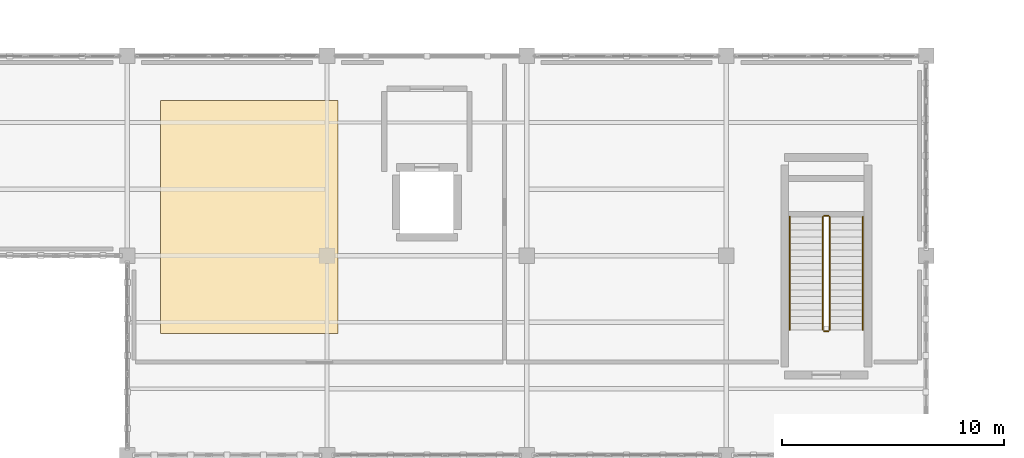
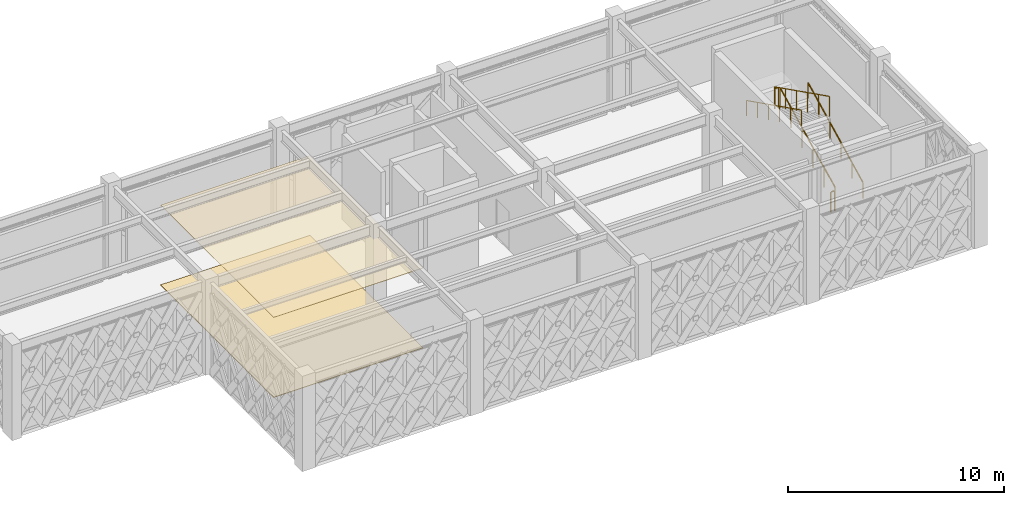
# One storey, part 70 of 72: 6 railings, 2 coverings.
"""IFC4 building model written with IfcOpenShell, lengths in metres."""

import ifcopenshell
import ifcopenshell.guid

model = None  # the IFC model being written
_history = None  # IfcOwnerHistory: only IFC2X3 demands one
_inside = {}  # id of a spatial element -> (the spatial element, [elements in it])
_under = {}  # id of a project, library or spatial element -> (it, [spatial elements below it])
_declared = {}  # id of a project -> (the project, [libraries it declares])
_typed = {}  # id of a type object -> (the type object, [elements of that type])
_made_of = {}  # id of a material, layer set ... -> (it, [elements and type objects made of it])


def new_model(schema):
    """Start an empty IFC model of exactly this schema.

    Asked for "IFC4X3", IfcOpenShell would pick the latest addendum, in which some entities
    have other attributes; the version numbers below select the first issue.
    IFC2X3 requires an IfcOwnerHistory on every rooted entity: one is made here for all.
    """
    global model, _history
    if schema == "IFC4X3":
        model = ifcopenshell.file(schema_version=(4, 3, 0, 0))
    else:
        model = ifcopenshell.file(schema=schema)
    _inside.clear()
    _under.clear()
    _declared.clear()
    _typed.clear()
    _made_of.clear()
    _history = None
    if model.schema == "IFC2X3":
        org = make("IfcOrganization", Name="unknown")
        user = make(
            "IfcPersonAndOrganization",
            ThePerson=make("IfcPerson", FamilyName="unknown"),
            TheOrganization=org,
        )
        app = make(
            "IfcApplication",
            ApplicationDeveloper=org,
            Version="unknown",
            ApplicationFullName="unknown",
            ApplicationIdentifier="unknown",
        )
        _history = make(
            "IfcOwnerHistory",
            OwningUser=user,
            OwningApplication=app,
            ChangeAction="ADDED",
            CreationDate=0,
        )
    return model


def make(cls, **values):
    """One entity of the class cls with the attributes given. An attribute that is None is left unset."""
    return model.create_entity(
        cls, **{name: value for name, value in values.items() if value is not None}
    )


def rooted(cls, **values):
    """An entity with a GlobalId (a new one), such as an element, a storey or a relation."""
    return make(cls, GlobalId=ifcopenshell.guid.new(), OwnerHistory=_history, **values)


def si_unit(unit_type, name, prefix=None):
    """IfcSIUnit, for example si_unit("LENGTHUNIT", "METRE", prefix="MILLI")."""
    return make("IfcSIUnit", UnitType=unit_type, Prefix=prefix, Name=name)


def assignment(units):
    """IfcUnitAssignment: the units of a project."""
    return None if units is None else make("IfcUnitAssignment", Units=units)


def point(xyz):
    """IfcCartesianPoint."""
    return None if xyz is None else make("IfcCartesianPoint", Coordinates=xyz)


def direction(xyz):
    """IfcDirection."""
    return None if xyz is None else make("IfcDirection", DirectionRatios=xyz)


def frame(location, z_axis=None, x_axis=None):
    """IfcAxis2Placement3D, a coordinate frame: its origin and axes. An axis left out is left unset."""
    return make(
        "IfcAxis2Placement3D",
        Location=point(location),
        Axis=direction(z_axis),
        RefDirection=direction(x_axis),
    )


def frame_2d(location, x_axis=None):
    """IfcAxis2Placement2D, a coordinate frame in the plane: its origin and x axis."""
    return make(
        "IfcAxis2Placement2D", Location=point(location), RefDirection=direction(x_axis)
    )


def origin():
    """The frame at (0, 0, 0) with its axes left unset."""
    return frame((0.0, 0.0, 0.0))


def origin_2d():
    """The frame at (0, 0) in the plane with its x axis left unset."""
    return frame_2d((0.0, 0.0))


def place(relative_to, where):
    """IfcLocalPlacement: puts the frame where relative to a parent placement (None: the world)."""
    return make(
        "IfcLocalPlacement", PlacementRelTo=relative_to, RelativePlacement=where
    )


def context(
    kind, dimensions, precision=None, world=None, true_north=None, identifier=None
):
    """IfcGeometricRepresentationContext, for example the 3D "Model" context."""
    return make(
        "IfcGeometricRepresentationContext",
        ContextIdentifier=identifier,
        ContextType=kind,
        CoordinateSpaceDimension=dimensions,
        Precision=precision,
        WorldCoordinateSystem=world,
        TrueNorth=true_north,
    )


def subcontext(parent, identifier, kind, view, scale=None):
    """IfcGeometricRepresentationSubContext, for example "Body" below "Model"."""
    return make(
        "IfcGeometricRepresentationSubContext",
        ContextIdentifier=identifier,
        ContextType=kind,
        ParentContext=parent,
        TargetScale=scale,
        TargetView=view,
    )


def project(units=None, contexts=None):
    """IfcProject with its units and contexts."""
    return rooted(
        "IfcProject",
        Name="project",
        RepresentationContexts=contexts,
        UnitsInContext=assignment(units),
    )


def spatial(cls, under=None, at=None, **own):
    """A site, building, storey or space (cls), placed at a placement, below another one or the project."""
    s = rooted(cls, ObjectPlacement=at, **own)
    if under is not None:
        _under.setdefault(under.id(), (under, []))[1].append(s)
    return s


def polyline(points):
    """IfcPolyline through the points."""
    return make("IfcPolyline", Points=[point(p) for p in points])


def profile(cls, at=None, kind="AREA", **sizes):
    """A parametric profile (cls). Its sizes go by their IFC names, for example OverallWidth=200.0."""
    return make(cls, ProfileType=kind, Position=at, **sizes)


def circle(**sizes):
    """IfcCircleProfileDef."""
    return profile("IfcCircleProfileDef", **sizes)


def outline(outer, holes=None, kind="AREA"):
    """IfcArbitraryClosedProfileDef: a profile drawn as a closed curve; with holes, ...WithVoids."""
    if holes is None:
        return make("IfcArbitraryClosedProfileDef", ProfileType=kind, OuterCurve=outer)
    return make(
        "IfcArbitraryProfileDefWithVoids",
        ProfileType=kind,
        OuterCurve=outer,
        InnerCurves=holes,
    )


def extrude(swept, where, along, depth):
    """IfcExtrudedAreaSolid: the profile swept, set in the frame where, extruded along a direction by depth."""
    return make(
        "IfcExtrudedAreaSolid",
        SweptArea=swept,
        Position=where,
        ExtrudedDirection=direction(along),
        Depth=depth,
    )


def shape(context_of_items, identifier, shape_type, items):
    """IfcShapeRepresentation: the items that make up one representation, for example the "Body"."""
    return make(
        "IfcShapeRepresentation",
        ContextOfItems=context_of_items,
        RepresentationIdentifier=identifier,
        RepresentationType=shape_type,
        Items=items,
    )


def material(Name=None, Category=None):
    """IfcMaterial."""
    return make("IfcMaterial", Name=Name, Category=Category)


def layer(
    of_material, thickness, ventilated=None, Name=None, Category=None, Priority=None
):
    """IfcMaterialLayer: one layer of a wall or slab, of a material (None: an air gap)."""
    return make(
        "IfcMaterialLayer",
        Material=of_material,
        LayerThickness=thickness,
        IsVentilated=ventilated,
        Name=Name,
        Category=Category,
        Priority=Priority,
    )


def layer_set(layers, Name=None):
    """IfcMaterialLayerSet."""
    return make("IfcMaterialLayerSet", MaterialLayers=layers, LayerSetName=Name)


def made_of(thing, what):
    """Note that an element or type object is made of a material, layer set ...; save() writes the relation."""
    if what is not None:
        _made_of.setdefault(what.id(), (what, []))[1].append(thing)
    return thing


def type_object(cls, material=None, **own):
    """A type object (cls), such as IfcWallType, which elements share."""
    return made_of(rooted(cls, **own), material)


def element(
    cls,
    number,
    at=None,
    inside=None,
    cuts=None,
    type_object=None,
    material=None,
    context=None,
    identifier="Body",
    shape_type=None,
    held_by="IfcProductDefinitionShape",
    body=None,
    shapes=None,
    **own,
):
    """One element of the class cls, such as IfcWall. Its Tag is "e" and its number.

    at: its placement. inside: the storey or other place that contains it. cuts: it is an
    opening in that element (IfcRelVoidsElement). A single representation is given by context,
    identifier, shape_type and body (its items); several are given by shapes. held_by: the class
    of the entity that holds the representations. save() writes the other relations.
    """
    e = rooted(cls, Tag="e%d" % number, ObjectPlacement=at, **own)
    if body is not None:
        shapes = [shape(context, identifier, shape_type, body)]
    if shapes is not None:
        e.Representation = make(held_by, Representations=shapes)
    if inside is not None:
        _inside.setdefault(inside.id(), (inside, []))[1].append(e)
    if cuts is not None:
        rooted(
            "IfcRelVoidsElement", RelatingBuildingElement=cuts, RelatedOpeningElement=e
        )
    if type_object is not None:
        _typed.setdefault(type_object.id(), (type_object, []))[1].append(e)
    return made_of(e, material)


def aggregate(whole, parts):
    """IfcRelAggregates: a whole, such as a stair, and the parts it consists of."""
    return rooted("IfcRelAggregates", RelatingObject=whole, RelatedObjects=parts)


def save(model, path):
    """Write the relations noted so far, then the file.

    IfcRelAggregates (storeys below a building ...), IfcRelContainedInSpatialStructure (elements
    in a storey), IfcRelDefinesByType, IfcRelAssociatesMaterial and IfcRelDeclares: one each for
    every whole, place, type object, material and project.
    """
    for whole, parts in _under.values():
        aggregate(whole, parts)
    for where, things in _inside.values():
        rooted(
            "IfcRelContainedInSpatialStructure",
            RelatedElements=things,
            RelatingStructure=where,
        )
    for kind, things in _typed.values():
        rooted("IfcRelDefinesByType", RelatedObjects=things, RelatingType=kind)
    for what, things in _made_of.values():
        rooted("IfcRelAssociatesMaterial", RelatedObjects=things, RelatingMaterial=what)
    for by, libraries in _declared.values():
        rooted("IfcRelDeclares", RelatingContext=by, RelatedDefinitions=libraries)
    model.write(path)


model = new_model("IFC4")

# Units and contexts
model_context = context("Model", 3, precision=1e-05, world=origin(), true_north=direction((0.0, 1.0)))
body_context = subcontext(model_context, "Body", "Model", "MODEL_VIEW")
ifc_project = project(units=[si_unit("LENGTHUNIT", "METRE"), si_unit("AREAUNIT", "SQUARE_METRE"), si_unit("VOLUMEUNIT", "CUBIC_METRE"), si_unit("PLANEANGLEUNIT", "RADIAN"), si_unit("MASSUNIT", "GRAM", prefix="KILO")], contexts=[model_context])

# Site, building, storey
site_placement = place(None, origin())
site = spatial("IfcSite", under=ifc_project, at=site_placement, CompositionType="ELEMENT")
building_placement = place(site_placement, origin())
building = spatial("IfcBuilding", under=site, at=building_placement, Name="Haizhuo Lancet Aquarium", CompositionType="ELEMENT")
storey_placement = place(building_placement, frame((0.0, 0.0, 21.60009765625)))
storey = spatial("IfcBuildingStorey", under=building, at=storey_placement, Name="L04", CompositionType="ELEMENT", Elevation=21.60009765625)

# Coverings
ifc_material_1 = material(Name="Acoustic Mineral Fibre Board")
ifc_layer_1 = layer(ifc_material_1, 0.02490234375)
ifc_layer_set_1 = layer_set([ifc_layer_1], Name="Acoustic Mineral Fibre Board")
covering_type_1 = type_object("IfcCoveringType", Name="COV-CLG-ACU", PredefinedType="CEILING", material=ifc_layer_set_1)
covering_1_placement = place(storey_placement, frame((0.0, 0.0, 4.52490234375)))
element("IfcCovering", 1, at=covering_1_placement, inside=storey, type_object=covering_type_1, Name="L04 V6 acoustic suspended ceiling 10", PredefinedType="CEILING", context=body_context, shape_type="SweptSolid", body=[
    extrude(outline(polyline([(-70.5, -21.5), (-62.5, -21.5), (-62.5, -11.0), (-70.5, -11.0), (-70.5, -21.5)])), origin(), (0.0, 0.0, 1.0), 0.02490234375),
])
ifc_material_2 = material(Name="Shandong Grey Limestone Ashlar", Category="masonry")
ifc_layer_2 = layer(ifc_material_2, 0.030029296875)
ifc_layer_set_2 = layer_set([ifc_layer_2], Name="Shandong Grey Limestone Ashlar")
covering_type_2 = type_object("IfcCoveringType", Name="COV-FLR-STN", PredefinedType="FLOORING", material=ifc_layer_set_2)
covering_2_placement = place(storey_placement, origin())
element("IfcCovering", 2, at=covering_2_placement, inside=storey, type_object=covering_type_2, Name="L04 V6 limestone floor finish 10", PredefinedType="FLOORING", context=body_context, shape_type="SweptSolid", body=[
    extrude(outline(polyline([(-70.5, -21.5), (-62.5, -21.5), (-62.5, -11.0), (-70.5, -11.0), (-70.5, -21.5)])), origin(), (0.0, 0.0, 1.0), 0.02978515625),
])

# Railings
ifc_material_3 = material(Name="Steel S355", Category="steel")
railing_type_1 = type_object("IfcRailingType", Name="RL-GRD-1150", PredefinedType="GUARDRAIL", material=ifc_material_3)
railing_1_placement = place(storey_placement, frame((-40.35009765625, -21.35009765625, 0.14990234375)))
element("IfcRailing", 3, at=railing_1_placement, inside=storey, type_object=railing_type_1, Name="L04 ST-09 stair guard 1", PredefinedType="GUARDRAIL", context=body_context, shape_type="SweptSolid", body=[
    extrude(circle(Radius=0.02392578125, at=origin_2d()), frame((0.0, 0.02685546875, 1.13916015625), z_axis=(0.0, 0.894427191, 0.4472135955), x_axis=(-1.0, 0.0, 0.0)), (0.0, 0.0, 1.0), 5.64208984375),
    extrude(circle(Radius=0.02099609375, at=origin_2d()), origin(), (0.0, 0.0, 1.0), 1.097900390625),
    extrude(circle(Radius=0.02099609375, at=origin_2d()), frame((0.0, 1.02001953125, 0.510009765625)), (0.0, 0.0, 1.0), 1.097900390625),
    extrude(circle(Radius=0.02099609375, at=origin_2d()), frame((0.0, 2.0400390625, 1.02001953125)), (0.0, 0.0, 1.0), 1.097900390625),
    extrude(circle(Radius=0.02099609375, at=origin_2d()), frame((0.0, 3.06005859375, 1.530029296875)), (0.0, 0.0, 1.0), 1.097900390625),
    extrude(circle(Radius=0.02099609375, at=origin_2d()), frame((0.0, 4.080078125, 2.0400390625)), (0.0, 0.0, 1.0), 1.097900390625),
    extrude(circle(Radius=0.02099609375, at=origin_2d()), frame((0.0, 5.10009765625, 2.550048828125)), (0.0, 0.0, 1.0), 1.097900390625),
])
railing_2_placement = place(storey_placement, frame((-40.39990234375, -16.199951171875, 2.699951171875)))
element("IfcRailing", 4, at=railing_2_placement, inside=storey, type_object=railing_type_1, Name="L04 ST-09 stair guard 2", PredefinedType="GUARDRAIL", context=body_context, shape_type="SweptSolid", body=[
    extrude(circle(Radius=0.02392578125, at=origin_2d()), frame((-0.030029296875, 0.0, 1.1259765625), z_axis=(-1.0, 0.0, 0.0), x_axis=(0.0, -1.0, 0.0)), (0.0, 0.0, 1.0), 0.14013671875),
    extrude(circle(Radius=0.02099609375, at=origin_2d()), origin(), (0.0, 0.0, 1.0), 1.097900390625),
    extrude(circle(Radius=0.02099609375, at=origin_2d()), frame((-0.2001953125, 0.0, 0.0)), (0.0, 0.0, 1.0), 1.097900390625),
])
railing_3_placement = place(storey_placement, frame((-40.64990234375, -16.25, 2.849853515625)))
element("IfcRailing", 5, at=railing_3_placement, inside=storey, type_object=railing_type_1, Name="L04 ST-09 stair guard 3", PredefinedType="GUARDRAIL", context=body_context, shape_type="SweptSolid", body=[
    extrude(circle(Radius=0.02392578125, at=origin_2d()), frame((0.0, -0.02685546875, 1.13916015625), z_axis=(0.0, -0.894427191, 0.4472135955), x_axis=(1.0, 0.0, 0.0)), (0.0, 0.0, 1.0), 5.64208984375),
    extrude(circle(Radius=0.02099609375, at=origin_2d()), origin(), (0.0, 0.0, 1.0), 1.097900390625),
    extrude(circle(Radius=0.02099609375, at=origin_2d()), frame((0.0, -1.02001953125, 0.510009765625)), (0.0, 0.0, 1.0), 1.097900390625),
    extrude(circle(Radius=0.02099609375, at=origin_2d()), frame((0.0, -2.0400390625, 1.02001953125)), (0.0, 0.0, 1.0), 1.097900390625),
    extrude(circle(Radius=0.02099609375, at=origin_2d()), frame((0.0, -3.06005859375, 1.530029296875)), (0.0, 0.0, 1.0), 1.097900390625),
    extrude(circle(Radius=0.02099609375, at=origin_2d()), frame((0.0, -4.080078125, 2.0400390625)), (0.0, 0.0, 1.0), 1.097900390625),
    extrude(circle(Radius=0.02099609375, at=origin_2d()), frame((0.0, -5.10009765625, 2.550048828125)), (0.0, 0.0, 1.0), 1.097900390625),
])
railing_4_placement = place(storey_placement, frame((-40.39990234375, -21.39990234375, 0.0)))
element("IfcRailing", 6, at=railing_4_placement, inside=storey, type_object=railing_type_1, Name="L04 ST-09 stair guard 4", PredefinedType="GUARDRAIL", context=body_context, shape_type="SweptSolid", body=[
    extrude(circle(Radius=0.02392578125, at=origin_2d()), frame((-0.030029296875, 0.0, 1.1259765625), z_axis=(-1.0, 0.0, 0.0), x_axis=(0.0, -1.0, 0.0)), (0.0, 0.0, 1.0), 0.14013671875),
    extrude(circle(Radius=0.02099609375, at=origin_2d()), origin(), (0.0, 0.0, 1.0), 1.097900390625),
    extrude(circle(Radius=0.02099609375, at=origin_2d()), frame((-0.2001953125, 0.0, 0.0)), (0.0, 0.0, 1.0), 1.097900390625),
])
railing_type_2 = type_object("IfcRailingType", Name="RL-HDR-900", PredefinedType="HANDRAIL", material=ifc_material_3)
railing_5_placement = place(storey_placement, frame((-38.85009765625, -21.35009765625, 0.14990234375)))
element("IfcRailing", 7, at=railing_5_placement, inside=storey, type_object=railing_type_2, Name="L04 ST-09 pitch handrail 1", PredefinedType="HANDRAIL", context=body_context, shape_type="SweptSolid", body=[
    extrude(circle(Radius=0.02392578125, at=origin_2d()), frame((0.0, 0.02685546875, 0.88916015625), z_axis=(0.0, 0.894427191, 0.4472135955), x_axis=(-1.0, 0.0, 0.0)), (0.0, 0.0, 1.0), 5.64208984375),
    extrude(circle(Radius=0.02099609375, at=origin_2d()), origin(), (0.0, 0.0, 1.0), 0.847900390625),
    extrude(circle(Radius=0.02099609375, at=origin_2d()), frame((0.0, 1.02001953125, 0.510009765625)), (0.0, 0.0, 1.0), 0.847900390625),
    extrude(circle(Radius=0.02099609375, at=origin_2d()), frame((0.0, 2.0400390625, 1.02001953125)), (0.0, 0.0, 1.0), 0.847900390625),
    extrude(circle(Radius=0.02099609375, at=origin_2d()), frame((0.0, 3.06005859375, 1.530029296875)), (0.0, 0.0, 1.0), 0.847900390625),
    extrude(circle(Radius=0.02099609375, at=origin_2d()), frame((0.0, 4.080078125, 2.0400390625)), (0.0, 0.0, 1.0), 0.847900390625),
    extrude(circle(Radius=0.02099609375, at=origin_2d()), frame((0.0, 5.10009765625, 2.550048828125)), (0.0, 0.0, 1.0), 0.847900390625),
])
railing_6_placement = place(storey_placement, frame((-42.14990234375, -16.25, 2.849853515625)))
element("IfcRailing", 8, at=railing_6_placement, inside=storey, type_object=railing_type_2, Name="L04 ST-09 pitch handrail 2", PredefinedType="HANDRAIL", context=body_context, shape_type="SweptSolid", body=[
    extrude(circle(Radius=0.02392578125, at=origin_2d()), frame((0.0, -0.02685546875, 0.88916015625), z_axis=(0.0, -0.894427191, 0.4472135955), x_axis=(1.0, 0.0, 0.0)), (0.0, 0.0, 1.0), 5.64208984375),
    extrude(circle(Radius=0.02099609375, at=origin_2d()), origin(), (0.0, 0.0, 1.0), 0.847900390625),
    extrude(circle(Radius=0.02099609375, at=origin_2d()), frame((0.0, -1.02001953125, 0.510009765625)), (0.0, 0.0, 1.0), 0.847900390625),
    extrude(circle(Radius=0.02099609375, at=origin_2d()), frame((0.0, -2.0400390625, 1.02001953125)), (0.0, 0.0, 1.0), 0.847900390625),
    extrude(circle(Radius=0.02099609375, at=origin_2d()), frame((0.0, -3.06005859375, 1.530029296875)), (0.0, 0.0, 1.0), 0.847900390625),
    extrude(circle(Radius=0.02099609375, at=origin_2d()), frame((0.0, -4.080078125, 2.0400390625)), (0.0, 0.0, 1.0), 0.847900390625),
    extrude(circle(Radius=0.02099609375, at=origin_2d()), frame((0.0, -5.10009765625, 2.550048828125)), (0.0, 0.0, 1.0), 0.847900390625),
])

save(model, "model.ifc")
